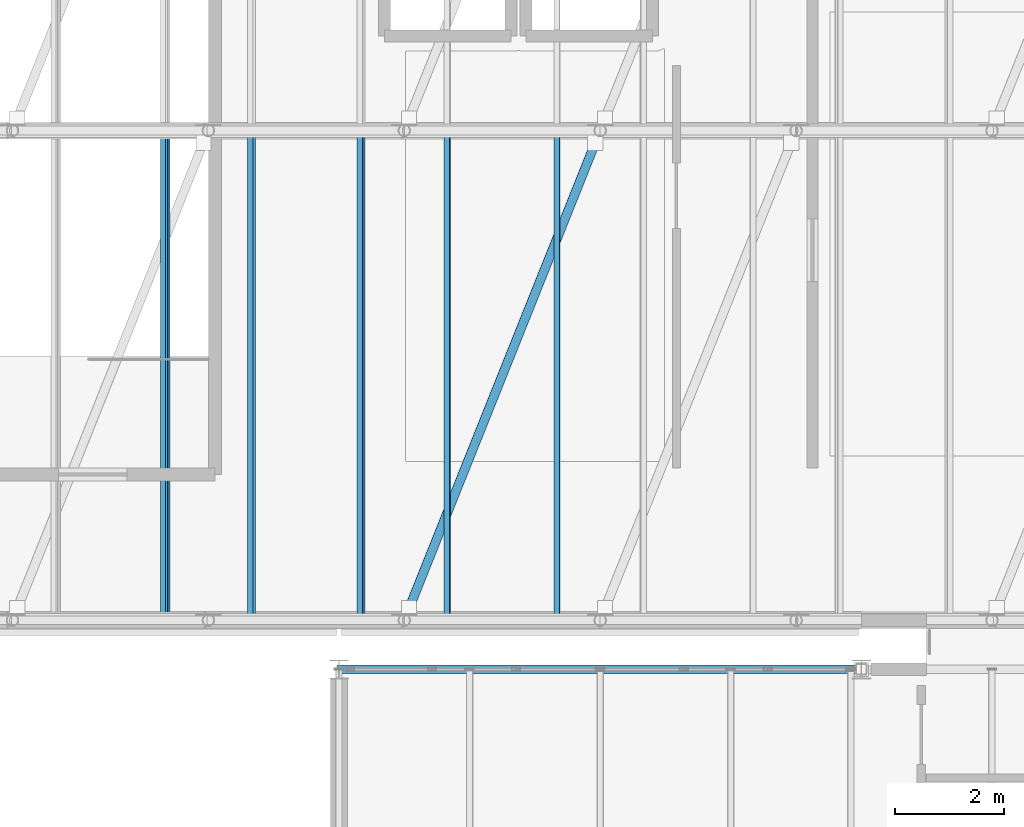
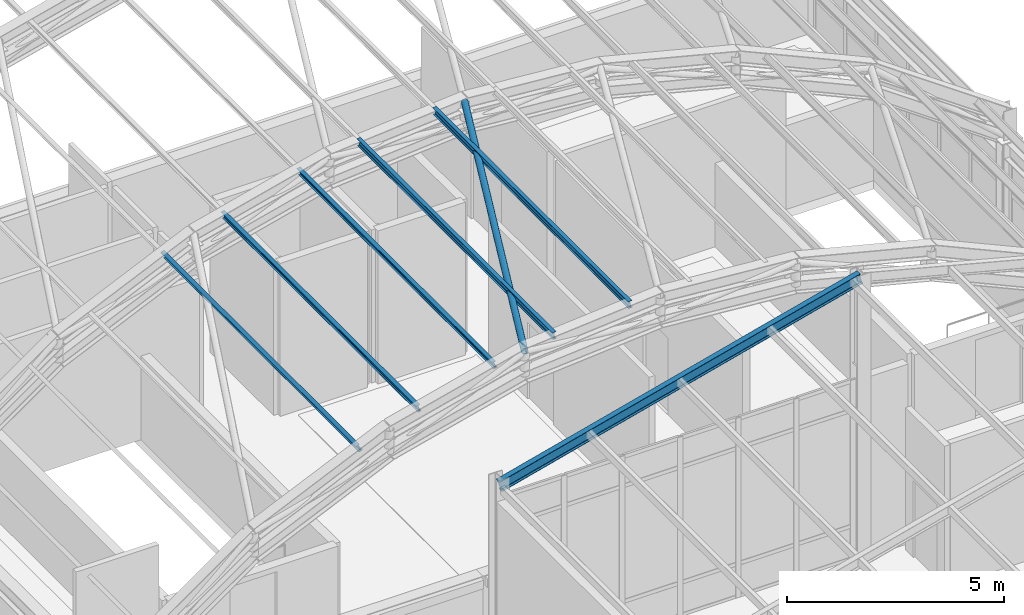
# One storey, part 19 of 121: 6 members, 1 beam.
"""IFC4 building model written with IfcOpenShell, lengths in metres."""

from ifc_helpers import new_model, si_unit, direction, frame, origin, origin_2d, place, context, subcontext, project, spatial, hollow_circle, i_section, extrude, material, material_profile, profile_set, type_object, element, save


model = new_model("IFC4")

# Units and contexts
model_context = context("Model", 3, precision=1e-05, world=origin(), true_north=direction((0.0, 1.0)))
body_context = subcontext(model_context, "Body", "Model", "MODEL_VIEW")
ifc_project = project(units=[si_unit("LENGTHUNIT", "METRE"), si_unit("AREAUNIT", "SQUARE_METRE"), si_unit("VOLUMEUNIT", "CUBIC_METRE"), si_unit("PLANEANGLEUNIT", "RADIAN"), si_unit("MASSUNIT", "GRAM", prefix="KILO")], contexts=[model_context])

# Site, building, storey
site_placement = place(None, origin())
site = spatial("IfcSite", under=ifc_project, at=site_placement, CompositionType="ELEMENT")
building_placement = place(site_placement, origin())
building = spatial("IfcBuilding", under=site, at=building_placement, Name="Canglan Escarpment Cableway Terminal", CompositionType="ELEMENT")
storey_placement = place(building_placement, frame((0.0, 0.0, 24.60009765625)))
storey = spatial("IfcBuildingStorey", under=building, at=storey_placement, Name="L05", CompositionType="ELEMENT", Elevation=24.60009765625)

# Beam
ifc_material = material(Name="Steel Q355B", Category="steel")
ifc_material_profile_1 = material_profile(ifc_material, i_section(OverallWidth=0.14990234375, OverallDepth=0.300048828125, WebThickness=0.006591796875, FlangeThickness=0.009033203125, FilletRadius=0.012939453125, at=origin_2d()), Name="HN 300x150x6.5x9")
ifc_profile_set_1 = profile_set([ifc_material_profile_1], Name="Steel Q355B")
beam_type = type_object("IfcBeamType", Name="BM-GABLE-RAFTER-HN300", PredefinedType="BEAM", material=ifc_profile_set_1)
beam_placement = place(storey_placement, frame((147.199951171875, 33.10009765625, 5.349853515625), z_axis=(0.967724859719, 0.0, 0.252009118649), x_axis=(0.0, 1.0, 0.0)))
element("IfcBeam", 1, at=beam_placement, inside=storey, type_object=beam_type, Name="Pedimented pavilion rafter RF-B2", PredefinedType="BEAM", context=body_context, shape_type="SweptSolid", body=[
    extrude(i_section(OverallWidth=0.14990234375, OverallDepth=0.300048828125, WebThickness=0.006591796875, FlangeThickness=0.009033203125, FilletRadius=0.012939453125, at=origin_2d()), origin(), (0.0, 0.0, 1.0), 9.920166015625),
])

# Members
ifc_material_profile_2 = material_profile(ifc_material, hollow_circle(Radius=0.084228515625, WallThickness=0.006103515625, at=origin_2d()), Name="CHS 168.3x6")
ifc_profile_set_2 = profile_set([ifc_material_profile_2], Name="Steel Q355B")
member_type_1 = type_object("IfcMemberType", Name="MB-ROOF-BR-CHS168", PredefinedType="BRACE", material=ifc_profile_set_2)
member_placement = place(storey_placement, frame((148.39990234375, 34.0, 8.1533203125), z_axis=(0.371225584171, 0.928038785765, 0.030587215839), x_axis=(-0.928473216852, 0.37139936132, 0.0)))
element("IfcMember", 2, at=member_placement, inside=storey, type_object=member_type_1, Name="Vault roof plane wind brace BR-03", PredefinedType="BRACE", context=body_context, shape_type="SweptSolid", body=[
    extrude(hollow_circle(Radius=0.084228515625, WallThickness=0.006103515625, at=origin_2d()), origin(), (0.0, 0.0, 1.0), 9.69775390625),
])
ifc_material_profile_3 = material_profile(ifc_material, i_section(OverallWidth=0.10009765625, OverallDepth=0.199951171875, WebThickness=0.005615234375, FlangeThickness=0.008056640625, FilletRadius=0.010986328125, at=origin_2d()), Name="HN 200x100x5.5x8")
ifc_profile_set_3 = profile_set([ifc_material_profile_3], Name="Steel Q355B")
member_type_2 = type_object("IfcMemberType", Name="MB-VAULT-PUR-HN200", PredefinedType="PURLIN", material=ifc_profile_set_3)
for number, where, z_axis, x_axis, name in (
    (3, (144.008056640625, 34.0, 6.968017578125), (0.0, 1.0, 0.0), (-0.911740537138, 0.0, -0.410766591799), "Barrel-vault roof purlin PR-01"),
    (4, (145.592041015625, 34.0, 7.533203125), (0.0, 1.0, 0.0), (-0.969183633805, 0.0, -0.246339367468), "Barrel-vault roof purlin PR-01"),
    (5, (147.60791015625, 34.0, 8.045654296875), (0.0, 1.0, 0.0), (-0.969183633805, 0.0, -0.246339367468), "Barrel-vault roof purlin PR-01"),
    (6, (149.19189453125, 34.0, 8.315185546875), (0.0, 1.0, 0.0), (-0.996625936329, 0.0, -0.082077664662), "Barrel-vault roof purlin PR-01"),
    (7, (151.2080078125, 34.0, 8.481201171875), (0.0, 1.0, 0.0), (-0.996625936329, 0.0, -0.082077664662), "Barrel-vault roof purlin PR-01"),
):
    element("IfcMember", number, at=place(storey_placement, frame(where, z_axis=z_axis, x_axis=x_axis)), inside=storey, type_object=member_type_2, Name=name, PredefinedType="PURLIN", context=body_context, shape_type="SweptSolid", body=[
        extrude(i_section(OverallWidth=0.10009765625, OverallDepth=0.199951171875, WebThickness=0.005615234375, FlangeThickness=0.008056640625, FilletRadius=0.010986328125, at=origin_2d()), origin(), (0.0, 0.0, 1.0), 9.0),
    ])

save(model, "model.ifc")
